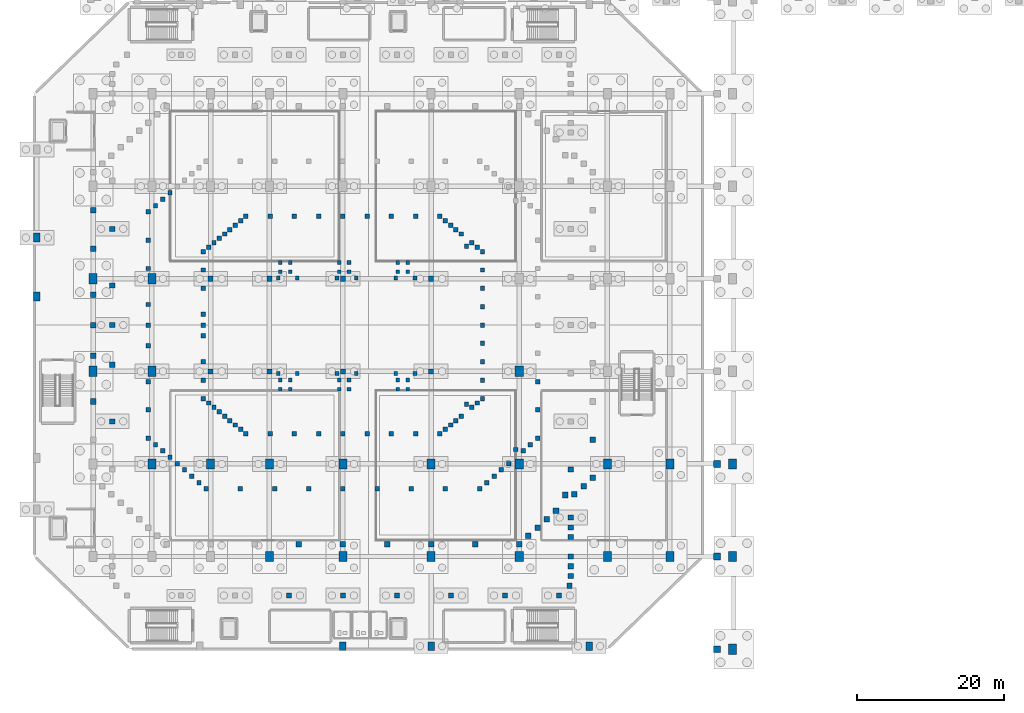
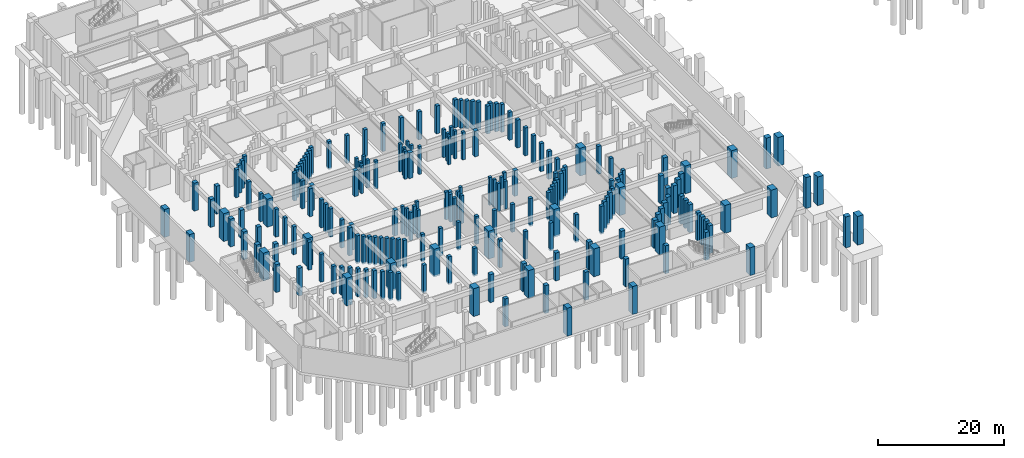
# One storey, part 6 of 27: 216 columns.
"""IFC4 building model written with IfcOpenShell, lengths in metres."""

from ifc_helpers import new_model, si_unit, derived_unit, direction, frame, origin, origin_2d, place, context, subcontext, project, spatial, rectangle, extrude, material, material_profile, profile_set, type_object, element, save


model = new_model("IFC4")

# Units and contexts
model_context = context("Model", 3, precision=1e-05, world=origin(), true_north=direction((0.0, 1.0)))
body_context = subcontext(model_context, "Body", "Model", "MODEL_VIEW")
ifc_project = project(units=[si_unit("LENGTHUNIT", "METRE"), si_unit("AREAUNIT", "SQUARE_METRE"), si_unit("VOLUMEUNIT", "CUBIC_METRE"), si_unit("PLANEANGLEUNIT", "RADIAN"), si_unit("MASSUNIT", "GRAM", prefix="KILO"), derived_unit("THERMALTRANSMITTANCEUNIT", [(si_unit("MASSUNIT", "GRAM", prefix="KILO"), 1), (si_unit("TIMEUNIT", "SECOND"), -3), (si_unit("THERMODYNAMICTEMPERATUREUNIT", "KELVIN"), -1)])], contexts=[model_context])

# Site, building, storey
site_placement = place(None, origin())
site = spatial("IfcSite", under=ifc_project, at=site_placement, CompositionType="ELEMENT")
building_placement = place(site_placement, origin())
building = spatial("IfcBuilding", under=site, at=building_placement, Name="Valcora Ridge Arena", CompositionType="ELEMENT")
storey_placement = place(building_placement, frame((0.0, 0.0, -5.39990234375)))
storey = spatial("IfcBuildingStorey", under=building, at=storey_placement, Name="B1", CompositionType="ELEMENT", Elevation=-5.39990234375)

# Columns
ifc_material_1 = material(Name="Bush-hammered Andean travertine architectural concrete C45/55", Category="masonry")
ifc_material_profile_1 = material_profile(ifc_material_1, rectangle(XDim=0.89990234375, YDim=1.199951171875, at=origin_2d()), Name="RC 900x1200")
ifc_profile_set_1 = profile_set([ifc_material_profile_1], Name="Bush-hammered Andean travertine architectural concrete C45/55")
column_type_1 = type_object("IfcColumnType", Name="TY-COLUMN-C-BUTT-1200", PredefinedType="PILASTER", material=ifc_profile_set_1)
for number, where, z_axis, x_axis, name in (
    (1, (58.0, 20.39990234375, 0.0), (0.0, 0.0, 1.0), (1.0, 0.0, 0.0), "C-BUTT-1200 COL-C-BUTT-1200-0005"),
    (2, (70.0, 20.39990234375, 0.0), (0.0, 0.0, 1.0), (1.0, 0.0, 0.0), "C-BUTT-1200 COL-C-BUTT-1200-0009"),
    (3, (91.5, 20.39990234375, 0.0), (0.0, 0.0, 1.0), (1.0, 0.0, 0.0), "C-BUTT-1200 COL-C-BUTT-1200-0013"),
    (4, (16.35009765625, 68.0, 0.0), (0.0, 0.0, 1.0), (1.0, 0.0, 0.0), "C-BUTT-1200 COL-C-BUTT-1200-0041"),
    (5, (16.35009765625, 76.0, 0.0), (0.0, 0.0, 1.0), (1.0, 0.0, 0.0), "C-BUTT-1200 COL-C-BUTT-1200-0045"),
):
    element("IfcColumn", number, at=place(storey_placement, frame(where, z_axis=z_axis, x_axis=x_axis)), inside=storey, type_object=column_type_1, Name=name, PredefinedType="PILASTER", context=body_context, shape_type="SweptSolid", body=[
        extrude(rectangle(XDim=0.89990234375, YDim=1.199951171875, at=origin_2d()), origin(), (0.0, 0.0, 1.0), 5.39990234375),
    ])
ifc_material_2 = material(Name="Concrete C40/50", Category="concrete")
ifc_material_profile_2 = material_profile(ifc_material_2, rectangle(XDim=1.10009765625, YDim=1.39990234375, at=origin_2d()), Name="RC 1100x1400")
ifc_profile_set_2 = profile_set([ifc_material_profile_2], Name="Concrete C40/50")
column_type_2 = type_object("IfcColumnType", Name="TY-COLUMN-C-RC1100", PredefinedType="COLUMN", material=ifc_profile_set_2)
for number, where, z_axis, x_axis, name in (
    (6, (24.0, 57.800048828125, 0.0), (0.0, 0.0, 1.0), (1.0, 0.0, 0.0), "C-RC1100 COL-C-RC1100-0005"),
    (7, (24.0, 70.39990234375, 0.0), (0.0, 0.0, 1.0), (1.0, 0.0, 0.0), "C-RC1100 COL-C-RC1100-0007"),
    (8, (32.0, 45.199951171875, 0.0), (0.0, 0.0, 1.0), (1.0, 0.0, 0.0), "C-RC1100 COL-C-RC1100-0015"),
    (9, (32.0, 57.800048828125, 0.0), (0.0, 0.0, 1.0), (1.0, 0.0, 0.0), "C-RC1100 COL-C-RC1100-0017"),
    (10, (32.0, 70.39990234375, 0.0), (0.0, 0.0, 1.0), (1.0, 0.0, 0.0), "C-RC1100 COL-C-RC1100-0019"),
    (11, (40.0, 45.199951171875, 0.0), (0.0, 0.0, 1.0), (1.0, 0.0, 0.0), "C-RC1100 COL-C-RC1100-0027"),
    (12, (48.0, 32.60009765625, 0.0), (0.0, 0.0, 1.0), (1.0, 0.0, 0.0), "C-RC1100 COL-C-RC1100-0033"),
    (13, (48.0, 45.199951171875, 0.0), (0.0, 0.0, 1.0), (1.0, 0.0, 0.0), "C-RC1100 COL-C-RC1100-0035"),
    (14, (58.0, 32.60009765625, 0.0), (0.0, 0.0, 1.0), (1.0, 0.0, 0.0), "C-RC1100 COL-C-RC1100-0041"),
    (15, (58.0, 45.199951171875, 0.0), (0.0, 0.0, 1.0), (1.0, 0.0, 0.0), "C-RC1100 COL-C-RC1100-0043"),
    (16, (70.0, 32.60009765625, 0.0), (0.0, 0.0, 1.0), (1.0, 0.0, 0.0), "C-RC1100 COL-C-RC1100-0049"),
    (17, (70.0, 45.199951171875, 0.0), (0.0, 0.0, 1.0), (1.0, 0.0, 0.0), "C-RC1100 COL-C-RC1100-0051"),
    (18, (82.0, 32.60009765625, 0.0), (0.0, 0.0, 1.0), (1.0, 0.0, 0.0), "C-RC1100 COL-C-RC1100-0057"),
    (19, (82.0, 45.199951171875, 0.0), (0.0, 0.0, 1.0), (1.0, 0.0, 0.0), "C-RC1100 COL-C-RC1100-0059"),
    (20, (82.0, 57.800048828125, 0.0), (0.0, 0.0, 1.0), (1.0, 0.0, 0.0), "C-RC1100 COL-C-RC1100-0061"),
    (21, (94.0, 32.60009765625, 0.0), (0.0, 0.0, 1.0), (1.0, 0.0, 0.0), "C-RC1100 COL-C-RC1100-0069"),
    (22, (94.0, 45.199951171875, 0.0), (0.0, 0.0, 1.0), (1.0, 0.0, 0.0), "C-RC1100 COL-C-RC1100-0071"),
    (23, (102.5, 32.60009765625, 0.0), (0.0, 0.0, 1.0), (1.0, 0.0, 0.0), "C-RC1100 COL-C-RC1100-0081"),
    (24, (102.5, 45.199951171875, 0.0), (0.0, 0.0, 1.0), (1.0, 0.0, 0.0), "C-RC1100 COL-C-RC1100-0083"),
):
    element("IfcColumn", number, at=place(storey_placement, frame(where, z_axis=z_axis, x_axis=x_axis)), inside=storey, type_object=column_type_2, Name=name, PredefinedType="COLUMN", context=body_context, shape_type="SweptSolid", body=[
        extrude(rectangle(XDim=1.10009765625, YDim=1.39990234375, at=origin_2d()), origin(), (0.0, 0.0, 1.0), 5.39990234375),
    ])
ifc_material_profile_3 = material_profile(ifc_material_2, rectangle(XDim=0.699951171875, YDim=0.699951171875, at=origin_2d()), Name="RC 700x700")
ifc_profile_set_3 = profile_set([ifc_material_profile_3], Name="Concrete C40/50")
column_type_3 = type_object("IfcColumnType", Name="TY-COLUMN-C-RC700", PredefinedType="COLUMN", material=ifc_profile_set_3)
for number, where, z_axis, x_axis, name in (
    (25, (40.0, 57.800048828125, 0.0), (0.0, 0.0, 1.0), (1.0, 0.0, 0.0), "C-RC700 COL-C-RC700-0019"),
    (26, (40.0, 70.39990234375, 0.0), (0.0, 0.0, 1.0), (1.0, 0.0, 0.0), "C-RC700 COL-C-RC700-0020"),
    (27, (48.0, 57.800048828125, 0.0), (0.0, 0.0, 1.0), (1.0, 0.0, 0.0), "C-RC700 COL-C-RC700-0021"),
    (28, (48.0, 70.39990234375, 0.0), (0.0, 0.0, 1.0), (1.0, 0.0, 0.0), "C-RC700 COL-C-RC700-0022"),
    (29, (58.0, 57.800048828125, 0.0), (0.0, 0.0, 1.0), (1.0, 0.0, 0.0), "C-RC700 COL-C-RC700-0023"),
    (30, (58.0, 70.39990234375, 0.0), (0.0, 0.0, 1.0), (1.0, 0.0, 0.0), "C-RC700 COL-C-RC700-0024"),
    (31, (70.0, 57.800048828125, 0.0), (0.0, 0.0, 1.0), (1.0, 0.0, 0.0), "C-RC700 COL-C-RC700-0025"),
    (32, (70.0, 70.39990234375, 0.0), (0.0, 0.0, 1.0), (1.0, 0.0, 0.0), "C-RC700 COL-C-RC700-0026"),
):
    element("IfcColumn", number, at=place(storey_placement, frame(where, z_axis=z_axis, x_axis=x_axis)), inside=storey, type_object=column_type_3, Name=name, PredefinedType="COLUMN", context=body_context, shape_type="SweptSolid", body=[
        extrude(rectangle(XDim=0.699951171875, YDim=0.699951171875, at=origin_2d()), origin(), (0.0, 0.0, 1.0), 4.9599609375),
    ])
ifc_material_profile_4 = material_profile(ifc_material_2, rectangle(XDim=0.5, YDim=0.5, at=origin_2d()), Name="RC 500x500")
ifc_profile_set_4 = profile_set([ifc_material_profile_4], Name="Concrete C40/50")
column_type_4 = type_object("IfcColumnType", Name="TY-COLUMN-C-RKR500", PredefinedType="COLUMN", material=ifc_profile_set_4)
for number, where, z_axis, x_axis, name in (
    (33, (49.47998046875, 55.3798828125, 0.0), (0.0, 0.0, 1.0), (1.0, 0.0, 0.0), "C-RKR500 COL-VS-C-RKR500-0001"),
    (34, (49.47998046875, 56.6201171875, 0.0), (0.0, 0.0, 1.0), (1.0, 0.0, 0.0), "C-RKR500 COL-VS-C-RKR500-0003"),
    (35, (50.820068359375, 55.3798828125, 0.0), (0.0, 0.0, 1.0), (1.0, 0.0, 0.0), "C-RKR500 COL-VS-C-RKR500-0005"),
    (36, (50.820068359375, 56.6201171875, 0.0), (0.0, 0.0, 1.0), (1.0, 0.0, 0.0), "C-RKR500 COL-VS-C-RKR500-0007"),
    (37, (49.199951171875, 57.5, 0.0), (0.0, 0.0, 1.0), (1.0, 0.0, 0.0), "C-RKR500 COL-VS-C-RKR500-0009"),
    (38, (51.800048828125, 57.5, 0.0), (0.0, 0.0, 1.0), (1.0, 0.0, 0.0), "C-RKR500 COL-VS-C-RKR500-0011"),
    (39, (57.47998046875, 55.3798828125, 0.0), (0.0, 0.0, 1.0), (1.0, 0.0, 0.0), "C-RKR500 COL-VS-C-RKR500-0013"),
    (40, (57.47998046875, 56.6201171875, 0.0), (0.0, 0.0, 1.0), (1.0, 0.0, 0.0), "C-RKR500 COL-VS-C-RKR500-0015"),
    (41, (58.820068359375, 55.3798828125, 0.0), (0.0, 0.0, 1.0), (1.0, 0.0, 0.0), "C-RKR500 COL-VS-C-RKR500-0017"),
    (42, (58.820068359375, 56.6201171875, 0.0), (0.0, 0.0, 1.0), (1.0, 0.0, 0.0), "C-RKR500 COL-VS-C-RKR500-0019"),
    (43, (57.199951171875, 57.5, 0.0), (0.0, 0.0, 1.0), (1.0, 0.0, 0.0), "C-RKR500 COL-VS-C-RKR500-0021"),
    (44, (59.800048828125, 57.5, 0.0), (0.0, 0.0, 1.0), (1.0, 0.0, 0.0), "C-RKR500 COL-VS-C-RKR500-0023"),
    (45, (65.47998046875, 55.3798828125, 0.0), (0.0, 0.0, 1.0), (1.0, 0.0, 0.0), "C-RKR500 COL-VS-C-RKR500-0025"),
    (46, (65.47998046875, 56.6201171875, 0.0), (0.0, 0.0, 1.0), (1.0, 0.0, 0.0), "C-RKR500 COL-VS-C-RKR500-0027"),
    (47, (66.820068359375, 55.3798828125, 0.0), (0.0, 0.0, 1.0), (1.0, 0.0, 0.0), "C-RKR500 COL-VS-C-RKR500-0029"),
    (48, (66.820068359375, 56.6201171875, 0.0), (0.0, 0.0, 1.0), (1.0, 0.0, 0.0), "C-RKR500 COL-VS-C-RKR500-0031"),
    (49, (65.199951171875, 57.5, 0.0), (0.0, 0.0, 1.0), (1.0, 0.0, 0.0), "C-RKR500 COL-VS-C-RKR500-0033"),
    (50, (67.800048828125, 57.5, 0.0), (0.0, 0.0, 1.0), (1.0, 0.0, 0.0), "C-RKR500 COL-VS-C-RKR500-0035"),
    (51, (49.47998046875, 71.3798828125, 0.0), (0.0, 0.0, 1.0), (1.0, 0.0, 0.0), "C-RKR500 COL-VS-C-RKR500-0037"),
    (52, (49.47998046875, 72.6201171875, 0.0), (0.0, 0.0, 1.0), (1.0, 0.0, 0.0), "C-RKR500 COL-VS-C-RKR500-0039"),
    (53, (50.820068359375, 71.3798828125, 0.0), (0.0, 0.0, 1.0), (1.0, 0.0, 0.0), "C-RKR500 COL-VS-C-RKR500-0041"),
    (54, (50.820068359375, 72.6201171875, 0.0), (0.0, 0.0, 1.0), (1.0, 0.0, 0.0), "C-RKR500 COL-VS-C-RKR500-0043"),
    (55, (49.199951171875, 70.5, 0.0), (0.0, 0.0, 1.0), (1.0, 0.0, 0.0), "C-RKR500 COL-VS-C-RKR500-0045"),
    (56, (51.800048828125, 70.5, 0.0), (0.0, 0.0, 1.0), (1.0, 0.0, 0.0), "C-RKR500 COL-VS-C-RKR500-0047"),
    (57, (57.47998046875, 71.3798828125, 0.0), (0.0, 0.0, 1.0), (1.0, 0.0, 0.0), "C-RKR500 COL-VS-C-RKR500-0049"),
    (58, (57.47998046875, 72.6201171875, 0.0), (0.0, 0.0, 1.0), (1.0, 0.0, 0.0), "C-RKR500 COL-VS-C-RKR500-0051"),
    (59, (58.820068359375, 71.3798828125, 0.0), (0.0, 0.0, 1.0), (1.0, 0.0, 0.0), "C-RKR500 COL-VS-C-RKR500-0053"),
    (60, (58.820068359375, 72.6201171875, 0.0), (0.0, 0.0, 1.0), (1.0, 0.0, 0.0), "C-RKR500 COL-VS-C-RKR500-0055"),
    (61, (57.199951171875, 70.5, 0.0), (0.0, 0.0, 1.0), (1.0, 0.0, 0.0), "C-RKR500 COL-VS-C-RKR500-0057"),
    (62, (59.800048828125, 70.5, 0.0), (0.0, 0.0, 1.0), (1.0, 0.0, 0.0), "C-RKR500 COL-VS-C-RKR500-0059"),
    (63, (65.47998046875, 71.3798828125, 0.0), (0.0, 0.0, 1.0), (1.0, 0.0, 0.0), "C-RKR500 COL-VS-C-RKR500-0061"),
    (64, (65.47998046875, 72.6201171875, 0.0), (0.0, 0.0, 1.0), (1.0, 0.0, 0.0), "C-RKR500 COL-VS-C-RKR500-0063"),
    (65, (66.820068359375, 71.3798828125, 0.0), (0.0, 0.0, 1.0), (1.0, 0.0, 0.0), "C-RKR500 COL-VS-C-RKR500-0065"),
    (66, (66.820068359375, 72.6201171875, 0.0), (0.0, 0.0, 1.0), (1.0, 0.0, 0.0), "C-RKR500 COL-VS-C-RKR500-0067"),
    (67, (65.199951171875, 70.5, 0.0), (0.0, 0.0, 1.0), (1.0, 0.0, 0.0), "C-RKR500 COL-VS-C-RKR500-0069"),
    (68, (67.800048828125, 70.5, 0.0), (0.0, 0.0, 1.0), (1.0, 0.0, 0.0), "C-RKR500 COL-VS-C-RKR500-0071"),
):
    element("IfcColumn", number, at=place(storey_placement, frame(where, z_axis=z_axis, x_axis=x_axis)), inside=storey, type_object=column_type_4, Name=name, PredefinedType="COLUMN", context=body_context, shape_type="SweptSolid", body=[
        extrude(rectangle(XDim=0.5, YDim=0.5, at=origin_2d()), origin(), (0.0, 0.0, 1.0), 5.39990234375),
    ])
ifc_material_profile_5 = material_profile(ifc_material_2, rectangle(XDim=0.60009765625, YDim=0.60009765625, at=origin_2d()), Name="RC 600x600")
ifc_profile_set_5 = profile_set([ifc_material_profile_5], Name="Concrete C40/50")
column_type_5 = type_object("IfcColumnType", Name="TY-COLUMN-C-RKR600", PredefinedType="COLUMN", material=ifc_profile_set_5)
for number, where, z_axis, x_axis, name in (
    (69, (39.39990234375, 41.800048828125, 0.0), (0.0, 0.0, 1.0), (1.0, 0.0, 0.0), "C-RKR600 COL-RK-C-RKR600-0001"),
    (70, (44.050048828125, 41.800048828125, 0.0), (0.0, 0.0, 1.0), (1.0, 0.0, 0.0), "C-RKR600 COL-RK-C-RKR600-0003"),
    (71, (48.699951171875, 41.800048828125, 0.0), (0.0, 0.0, 1.0), (1.0, 0.0, 0.0), "C-RKR600 COL-RK-C-RKR600-0005"),
    (72, (53.35009765625, 41.800048828125, 0.0), (0.0, 0.0, 1.0), (1.0, 0.0, 0.0), "C-RKR600 COL-RK-C-RKR600-0007"),
    (73, (58.0, 41.800048828125, 0.0), (0.0, 0.0, 1.0), (1.0, 0.0, 0.0), "C-RKR600 COL-RK-C-RKR600-0009"),
    (74, (62.64990234375, 41.800048828125, 0.0), (0.0, 0.0, 1.0), (1.0, 0.0, 0.0), "C-RKR600 COL-RK-C-RKR600-0011"),
    (75, (67.300048828125, 41.800048828125, 0.0), (0.0, 0.0, 1.0), (1.0, 0.0, 0.0), "C-RKR600 COL-RK-C-RKR600-0013"),
    (76, (71.949951171875, 41.800048828125, 0.0), (0.0, 0.0, 1.0), (1.0, 0.0, 0.0), "C-RKR600 COL-RK-C-RKR600-0015"),
    (77, (76.60009765625, 41.800048828125, 0.0), (0.0, 0.0, 1.0), (1.0, 0.0, 0.0), "C-RKR600 COL-RK-C-RKR600-0017"),
    (78, (77.58740234375, 42.66259765625, 0.0), (0.0, 0.0, 1.0), (1.0, 0.0, 0.0), "C-RKR600 COL-RK-C-RKR600-0019"),
    (79, (78.574951171875, 43.52490234375, 0.0), (0.0, 0.0, 1.0), (1.0, 0.0, 0.0), "C-RKR600 COL-RK-C-RKR600-0021"),
    (80, (79.5625, 44.387451171875, 0.0), (0.0, 0.0, 1.0), (1.0, 0.0, 0.0), "C-RKR600 COL-RK-C-RKR600-0023"),
    (81, (80.550048828125, 45.25, 0.0), (0.0, 0.0, 1.0), (1.0, 0.0, 0.0), "C-RKR600 COL-RK-C-RKR600-0025"),
    (82, (82.52490234375, 46.97509765625, 0.0), (0.0, 0.0, 1.0), (1.0, 0.0, 0.0), "C-RKR600 COL-RK-C-RKR600-0027"),
    (83, (83.512451171875, 47.83740234375, 0.0), (0.0, 0.0, 1.0), (1.0, 0.0, 0.0), "C-RKR600 COL-RK-C-RKR600-0029"),
    (84, (84.5, 48.699951171875, 0.0), (0.0, 0.0, 1.0), (1.0, 0.0, 0.0), "C-RKR600 COL-RK-C-RKR600-0031"),
    (85, (84.5, 52.550048828125, 0.0), (0.0, 0.0, 1.0), (1.0, 0.0, 0.0), "C-RKR600 COL-RK-C-RKR600-0033"),
    (86, (84.5, 56.39990234375, 0.0), (0.0, 0.0, 1.0), (1.0, 0.0, 0.0), "C-RKR600 COL-RK-C-RKR600-0035"),
    (87, (34.46240234375, 82.08740234375, 0.0), (0.0, 0.0, 1.0), (1.0, 0.0, 0.0), "C-RKR600 COL-RK-C-RKR600-0087"),
    (88, (33.47509765625, 81.22509765625, 0.0), (0.0, 0.0, 1.0), (1.0, 0.0, 0.0), "C-RKR600 COL-RK-C-RKR600-0089"),
    (89, (32.487548828125, 80.362548828125, 0.0), (0.0, 0.0, 1.0), (1.0, 0.0, 0.0), "C-RKR600 COL-RK-C-RKR600-0091"),
    (90, (31.5, 79.5, 0.0), (0.0, 0.0, 1.0), (1.0, 0.0, 0.0), "C-RKR600 COL-RK-C-RKR600-0093"),
    (91, (31.5, 75.64990234375, 0.0), (0.0, 0.0, 1.0), (1.0, 0.0, 0.0), "C-RKR600 COL-RK-C-RKR600-0095"),
    (92, (31.5, 71.800048828125, 0.0), (0.0, 0.0, 1.0), (1.0, 0.0, 0.0), "C-RKR600 COL-RK-C-RKR600-0097"),
    (93, (31.5, 64.10009765625, 0.0), (0.0, 0.0, 1.0), (1.0, 0.0, 0.0), "C-RKR600 COL-RK-C-RKR600-0099"),
    (94, (31.5, 56.39990234375, 0.0), (0.0, 0.0, 1.0), (1.0, 0.0, 0.0), "C-RKR600 COL-RK-C-RKR600-0101"),
    (95, (31.5, 52.550048828125, 0.0), (0.0, 0.0, 1.0), (1.0, 0.0, 0.0), "C-RKR600 COL-RK-C-RKR600-0103"),
    (96, (31.5, 48.699951171875, 0.0), (0.0, 0.0, 1.0), (1.0, 0.0, 0.0), "C-RKR600 COL-RK-C-RKR600-0105"),
    (97, (32.487548828125, 47.83740234375, 0.0), (0.0, 0.0, 1.0), (1.0, 0.0, 0.0), "C-RKR600 COL-RK-C-RKR600-0107"),
    (98, (33.47509765625, 46.97509765625, 0.0), (0.0, 0.0, 1.0), (1.0, 0.0, 0.0), "C-RKR600 COL-RK-C-RKR600-0109"),
    (99, (34.46240234375, 46.112548828125, 0.0), (0.0, 0.0, 1.0), (1.0, 0.0, 0.0), "C-RKR600 COL-RK-C-RKR600-0111"),
    (100, (35.449951171875, 45.25, 0.0), (0.0, 0.0, 1.0), (1.0, 0.0, 0.0), "C-RKR600 COL-RK-C-RKR600-0113"),
    (101, (36.4375, 44.387451171875, 0.0), (0.0, 0.0, 1.0), (1.0, 0.0, 0.0), "C-RKR600 COL-RK-C-RKR600-0115"),
    (102, (37.425048828125, 43.52490234375, 0.0), (0.0, 0.0, 1.0), (1.0, 0.0, 0.0), "C-RKR600 COL-RK-C-RKR600-0117"),
    (103, (38.41259765625, 42.66259765625, 0.0), (0.0, 0.0, 1.0), (1.0, 0.0, 0.0), "C-RKR600 COL-RK-C-RKR600-0119"),
    (104, (81.53759765625, 47.16259765625, 0.0), (0.0, 0.0, 1.0), (1.0, 0.0, 0.0), "C-RKR600 COL-RKN-C-RKR600-0001"),
    (105, (31.5, 66.89990234375, 0.0), (0.0, 0.0, 1.0), (1.0, 0.0, 0.0), "C-RKR600 COL-RKN-C-RKR600-0005"),
    (106, (31.5, 61.300048828125, 0.0), (0.0, 0.0, 1.0), (1.0, 0.0, 0.0), "C-RKR600 COL-RKN-C-RKR600-0007"),
):
    element("IfcColumn", number, at=place(storey_placement, frame(where, z_axis=z_axis, x_axis=x_axis)), inside=storey, type_object=column_type_5, Name=name, PredefinedType="COLUMN", context=body_context, shape_type="SweptSolid", body=[
        extrude(rectangle(XDim=0.60009765625, YDim=0.60009765625, at=origin_2d()), origin(), (0.0, 0.0, 1.0), 5.39990234375),
    ])
ifc_material_profile_6 = material_profile(ifc_material_2, rectangle(XDim=0.60009765625, YDim=0.60009765625, at=origin_2d()), Name="RC 600x600")
ifc_profile_set_6 = profile_set([ifc_material_profile_6], Name="Concrete C40/50")
column_type_6 = type_object("IfcColumnType", Name="TY-COLUMN-C-RKR600I", PredefinedType="COLUMN", material=ifc_profile_set_6)
for number, where, z_axis, x_axis, name in (
    (107, (44.800048828125, 49.300048828125, 0.0), (0.0, 0.0, 1.0), (1.0, 0.0, 0.0), "C-RKR600I COL-RK-C-RKR600I-0001"),
    (108, (48.10009765625, 49.300048828125, 0.0), (0.0, 0.0, 1.0), (1.0, 0.0, 0.0), "C-RKR600I COL-RK-C-RKR600I-0003"),
    (109, (51.39990234375, 49.300048828125, 0.0), (0.0, 0.0, 1.0), (1.0, 0.0, 0.0), "C-RKR600I COL-RK-C-RKR600I-0005"),
    (110, (54.699951171875, 49.300048828125, 0.0), (0.0, 0.0, 1.0), (1.0, 0.0, 0.0), "C-RKR600I COL-RK-C-RKR600I-0007"),
    (111, (58.0, 49.300048828125, 0.0), (0.0, 0.0, 1.0), (1.0, 0.0, 0.0), "C-RKR600I COL-RK-C-RKR600I-0009"),
    (112, (61.300048828125, 49.300048828125, 0.0), (0.0, 0.0, 1.0), (1.0, 0.0, 0.0), "C-RKR600I COL-RK-C-RKR600I-0011"),
    (113, (64.60009765625, 49.300048828125, 0.0), (0.0, 0.0, 1.0), (1.0, 0.0, 0.0), "C-RKR600I COL-RK-C-RKR600I-0013"),
    (114, (67.89990234375, 49.300048828125, 0.0), (0.0, 0.0, 1.0), (1.0, 0.0, 0.0), "C-RKR600I COL-RK-C-RKR600I-0015"),
    (115, (71.199951171875, 49.300048828125, 0.0), (0.0, 0.0, 1.0), (1.0, 0.0, 0.0), "C-RKR600I COL-RK-C-RKR600I-0017"),
    (116, (71.925048828125, 49.89990234375, 0.0), (0.0, 0.0, 1.0), (1.0, 0.0, 0.0), "C-RKR600I COL-RK-C-RKR600I-0019"),
    (117, (72.64990234375, 50.5, 0.0), (0.0, 0.0, 1.0), (1.0, 0.0, 0.0), "C-RKR600I COL-RK-C-RKR600I-0021"),
    (118, (73.375, 51.10009765625, 0.0), (0.0, 0.0, 1.0), (1.0, 0.0, 0.0), "C-RKR600I COL-RK-C-RKR600I-0023"),
    (119, (74.10009765625, 51.699951171875, 0.0), (0.0, 0.0, 1.0), (1.0, 0.0, 0.0), "C-RKR600I COL-RK-C-RKR600I-0025"),
    (120, (75.550048828125, 52.89990234375, 0.0), (0.0, 0.0, 1.0), (1.0, 0.0, 0.0), "C-RKR600I COL-RK-C-RKR600I-0027"),
    (121, (76.27490234375, 53.5, 0.0), (0.0, 0.0, 1.0), (1.0, 0.0, 0.0), "C-RKR600I COL-RK-C-RKR600I-0029"),
    (122, (77.0, 54.10009765625, 0.0), (0.0, 0.0, 1.0), (1.0, 0.0, 0.0), "C-RKR600I COL-RK-C-RKR600I-0031"),
    (123, (77.0, 56.60009765625, 0.0), (0.0, 0.0, 1.0), (1.0, 0.0, 0.0), "C-RKR600I COL-RK-C-RKR600I-0033"),
    (124, (77.0, 59.10009765625, 0.0), (0.0, 0.0, 1.0), (1.0, 0.0, 0.0), "C-RKR600I COL-RK-C-RKR600I-0035"),
    (125, (77.0, 61.60009765625, 0.0), (0.0, 0.0, 1.0), (1.0, 0.0, 0.0), "C-RKR600I COL-RK-C-RKR600I-0037"),
    (126, (77.0, 64.10009765625, 0.0), (0.0, 0.0, 1.0), (1.0, 0.0, 0.0), "C-RKR600I COL-RK-C-RKR600I-0039"),
    (127, (77.0, 66.60009765625, 0.0), (0.0, 0.0, 1.0), (1.0, 0.0, 0.0), "C-RKR600I COL-RK-C-RKR600I-0041"),
    (128, (77.0, 69.10009765625, 0.0), (0.0, 0.0, 1.0), (1.0, 0.0, 0.0), "C-RKR600I COL-RK-C-RKR600I-0043"),
    (129, (77.0, 71.60009765625, 0.0), (0.0, 0.0, 1.0), (1.0, 0.0, 0.0), "C-RKR600I COL-RK-C-RKR600I-0045"),
    (130, (77.0, 74.10009765625, 0.0), (0.0, 0.0, 1.0), (1.0, 0.0, 0.0), "C-RKR600I COL-RK-C-RKR600I-0047"),
    (131, (76.27490234375, 74.699951171875, 0.0), (0.0, 0.0, 1.0), (1.0, 0.0, 0.0), "C-RKR600I COL-RK-C-RKR600I-0049"),
    (132, (75.550048828125, 75.300048828125, 0.0), (0.0, 0.0, 1.0), (1.0, 0.0, 0.0), "C-RKR600I COL-RK-C-RKR600I-0051"),
    (133, (74.10009765625, 76.5, 0.0), (0.0, 0.0, 1.0), (1.0, 0.0, 0.0), "C-RKR600I COL-RK-C-RKR600I-0053"),
    (134, (73.375, 77.10009765625, 0.0), (0.0, 0.0, 1.0), (1.0, 0.0, 0.0), "C-RKR600I COL-RK-C-RKR600I-0055"),
    (135, (72.64990234375, 77.699951171875, 0.0), (0.0, 0.0, 1.0), (1.0, 0.0, 0.0), "C-RKR600I COL-RK-C-RKR600I-0057"),
    (136, (71.925048828125, 78.300048828125, 0.0), (0.0, 0.0, 1.0), (1.0, 0.0, 0.0), "C-RKR600I COL-RK-C-RKR600I-0059"),
    (137, (71.199951171875, 78.89990234375, 0.0), (0.0, 0.0, 1.0), (1.0, 0.0, 0.0), "C-RKR600I COL-RK-C-RKR600I-0061"),
    (138, (67.89990234375, 78.89990234375, 0.0), (0.0, 0.0, 1.0), (1.0, 0.0, 0.0), "C-RKR600I COL-RK-C-RKR600I-0063"),
    (139, (64.60009765625, 78.89990234375, 0.0), (0.0, 0.0, 1.0), (1.0, 0.0, 0.0), "C-RKR600I COL-RK-C-RKR600I-0065"),
    (140, (61.300048828125, 78.89990234375, 0.0), (0.0, 0.0, 1.0), (1.0, 0.0, 0.0), "C-RKR600I COL-RK-C-RKR600I-0067"),
    (141, (58.0, 78.89990234375, 0.0), (0.0, 0.0, 1.0), (1.0, 0.0, 0.0), "C-RKR600I COL-RK-C-RKR600I-0069"),
    (142, (54.699951171875, 78.89990234375, 0.0), (0.0, 0.0, 1.0), (1.0, 0.0, 0.0), "C-RKR600I COL-RK-C-RKR600I-0071"),
    (143, (51.39990234375, 78.89990234375, 0.0), (0.0, 0.0, 1.0), (1.0, 0.0, 0.0), "C-RKR600I COL-RK-C-RKR600I-0073"),
    (144, (48.10009765625, 78.89990234375, 0.0), (0.0, 0.0, 1.0), (1.0, 0.0, 0.0), "C-RKR600I COL-RK-C-RKR600I-0075"),
    (145, (44.800048828125, 78.89990234375, 0.0), (0.0, 0.0, 1.0), (1.0, 0.0, 0.0), "C-RKR600I COL-RK-C-RKR600I-0077"),
    (146, (44.074951171875, 78.300048828125, 0.0), (0.0, 0.0, 1.0), (1.0, 0.0, 0.0), "C-RKR600I COL-RK-C-RKR600I-0079"),
    (147, (43.35009765625, 77.699951171875, 0.0), (0.0, 0.0, 1.0), (1.0, 0.0, 0.0), "C-RKR600I COL-RK-C-RKR600I-0081"),
    (148, (42.625, 77.10009765625, 0.0), (0.0, 0.0, 1.0), (1.0, 0.0, 0.0), "C-RKR600I COL-RK-C-RKR600I-0083"),
    (149, (41.89990234375, 76.5, 0.0), (0.0, 0.0, 1.0), (1.0, 0.0, 0.0), "C-RKR600I COL-RK-C-RKR600I-0085"),
    (150, (41.175048828125, 75.89990234375, 0.0), (0.0, 0.0, 1.0), (1.0, 0.0, 0.0), "C-RKR600I COL-RK-C-RKR600I-0087"),
    (151, (40.449951171875, 75.300048828125, 0.0), (0.0, 0.0, 1.0), (1.0, 0.0, 0.0), "C-RKR600I COL-RK-C-RKR600I-0089"),
    (152, (39.72509765625, 74.699951171875, 0.0), (0.0, 0.0, 1.0), (1.0, 0.0, 0.0), "C-RKR600I COL-RK-C-RKR600I-0091"),
    (153, (39.0, 74.10009765625, 0.0), (0.0, 0.0, 1.0), (1.0, 0.0, 0.0), "C-RKR600I COL-RK-C-RKR600I-0093"),
    (154, (39.0, 71.60009765625, 0.0), (0.0, 0.0, 1.0), (1.0, 0.0, 0.0), "C-RKR600I COL-RK-C-RKR600I-0095"),
    (155, (39.0, 69.10009765625, 0.0), (0.0, 0.0, 1.0), (1.0, 0.0, 0.0), "C-RKR600I COL-RK-C-RKR600I-0097"),
    (156, (39.0, 64.10009765625, 0.0), (0.0, 0.0, 1.0), (1.0, 0.0, 0.0), "C-RKR600I COL-RK-C-RKR600I-0099"),
    (157, (39.0, 59.10009765625, 0.0), (0.0, 0.0, 1.0), (1.0, 0.0, 0.0), "C-RKR600I COL-RK-C-RKR600I-0101"),
    (158, (39.0, 56.60009765625, 0.0), (0.0, 0.0, 1.0), (1.0, 0.0, 0.0), "C-RKR600I COL-RK-C-RKR600I-0103"),
    (159, (39.0, 54.10009765625, 0.0), (0.0, 0.0, 1.0), (1.0, 0.0, 0.0), "C-RKR600I COL-RK-C-RKR600I-0105"),
    (160, (39.72509765625, 53.5, 0.0), (0.0, 0.0, 1.0), (1.0, 0.0, 0.0), "C-RKR600I COL-RK-C-RKR600I-0107"),
    (161, (40.449951171875, 52.89990234375, 0.0), (0.0, 0.0, 1.0), (1.0, 0.0, 0.0), "C-RKR600I COL-RK-C-RKR600I-0109"),
    (162, (41.175048828125, 52.300048828125, 0.0), (0.0, 0.0, 1.0), (1.0, 0.0, 0.0), "C-RKR600I COL-RK-C-RKR600I-0111"),
    (163, (41.89990234375, 51.699951171875, 0.0), (0.0, 0.0, 1.0), (1.0, 0.0, 0.0), "C-RKR600I COL-RK-C-RKR600I-0113"),
    (164, (42.625, 51.10009765625, 0.0), (0.0, 0.0, 1.0), (1.0, 0.0, 0.0), "C-RKR600I COL-RK-C-RKR600I-0115"),
    (165, (43.35009765625, 50.5, 0.0), (0.0, 0.0, 1.0), (1.0, 0.0, 0.0), "C-RKR600I COL-RK-C-RKR600I-0117"),
    (166, (44.074951171875, 49.89990234375, 0.0), (0.0, 0.0, 1.0), (1.0, 0.0, 0.0), "C-RKR600I COL-RK-C-RKR600I-0119"),
    (167, (74.824951171875, 53.35009765625, 0.0), (0.0, 0.0, 1.0), (1.0, 0.0, 0.0), "C-RKR600I COL-RKN-C-RKR600I-0001"),
    (168, (74.824951171875, 74.85009765625, 0.0), (0.0, 0.0, 1.0), (1.0, 0.0, 0.0), "C-RKR600I COL-RKN-C-RKR600I-0003"),
    (169, (39.0, 65.550048828125, 0.0), (0.0, 0.0, 1.0), (1.0, 0.0, 0.0), "C-RKR600I COL-RKN-C-RKR600I-0005"),
    (170, (39.0, 62.64990234375, 0.0), (0.0, 0.0, 1.0), (1.0, 0.0, 0.0), "C-RKR600I COL-RKN-C-RKR600I-0007"),
):
    element("IfcColumn", number, at=place(storey_placement, frame(where, z_axis=z_axis, x_axis=x_axis)), inside=storey, type_object=column_type_6, Name=name, PredefinedType="COLUMN", context=body_context, shape_type="SweptSolid", body=[
        extrude(rectangle(XDim=0.60009765625, YDim=0.60009765625, at=origin_2d()), origin(), (0.0, 0.0, 1.0), 5.39990234375),
    ])
ifc_material_profile_7 = material_profile(ifc_material_2, rectangle(XDim=0.75, YDim=0.75, at=origin_2d()), Name="RC 750x750")
ifc_profile_set_7 = profile_set([ifc_material_profile_7], Name="Concrete C40/50")
column_type_7 = type_object("IfcColumnType", Name="TY-COLUMN-C-RKR750", PredefinedType="COLUMN", material=ifc_profile_set_7)
for number, where, z_axis, x_axis, name in (
    (171, (52.0, 34.300048828125, 0.0), (0.0, 0.0, 1.0), (1.0, 0.0, 0.0), "C-RKR750 COL-RK-C-RKR750-0007"),
    (172, (58.0, 34.300048828125, 0.0), (0.0, 0.0, 1.0), (1.0, 0.0, 0.0), "C-RKR750 COL-RK-C-RKR750-0009"),
    (173, (64.0, 34.300048828125, 0.0), (0.0, 0.0, 1.0), (1.0, 0.0, 0.0), "C-RKR750 COL-RK-C-RKR750-0011"),
    (174, (70.0, 34.300048828125, 0.0), (0.0, 0.0, 1.0), (1.0, 0.0, 0.0), "C-RKR750 COL-RK-C-RKR750-0013"),
    (175, (76.0, 34.300048828125, 0.0), (0.0, 0.0, 1.0), (1.0, 0.0, 0.0), "C-RKR750 COL-RK-C-RKR750-0015"),
    (176, (82.0, 34.300048828125, 0.0), (0.0, 0.0, 1.0), (1.0, 0.0, 0.0), "C-RKR750 COL-RK-C-RKR750-0017"),
    (177, (83.25, 35.425048828125, 0.0), (0.0, 0.0, 1.0), (1.0, 0.0, 0.0), "C-RKR750 COL-RK-C-RKR750-0019"),
    (178, (84.5, 36.550048828125, 0.0), (0.0, 0.0, 1.0), (1.0, 0.0, 0.0), "C-RKR750 COL-RK-C-RKR750-0021"),
    (179, (85.75, 37.675048828125, 0.0), (0.0, 0.0, 1.0), (1.0, 0.0, 0.0), "C-RKR750 COL-RK-C-RKR750-0023"),
    (180, (87.0, 38.800048828125, 0.0), (0.0, 0.0, 1.0), (1.0, 0.0, 0.0), "C-RKR750 COL-RK-C-RKR750-0025"),
    (181, (89.5, 41.050048828125, 0.0), (0.0, 0.0, 1.0), (1.0, 0.0, 0.0), "C-RKR750 COL-RK-C-RKR750-0027"),
    (182, (90.75, 42.175048828125, 0.0), (0.0, 0.0, 1.0), (1.0, 0.0, 0.0), "C-RKR750 COL-RK-C-RKR750-0029"),
    (183, (92.0, 43.300048828125, 0.0), (0.0, 0.0, 1.0), (1.0, 0.0, 0.0), "C-RKR750 COL-RK-C-RKR750-0031"),
    (184, (92.0, 48.5, 0.0), (0.0, 0.0, 1.0), (1.0, 0.0, 0.0), "C-RKR750 COL-RK-C-RKR750-0033"),
    (185, (24.0, 79.699951171875, 0.0), (0.0, 0.0, 1.0), (1.0, 0.0, 0.0), "C-RKR750 COL-RK-C-RKR750-0095"),
    (186, (24.0, 74.5, 0.0), (0.0, 0.0, 1.0), (1.0, 0.0, 0.0), "C-RKR750 COL-RK-C-RKR750-0097"),
    (187, (24.0, 64.10009765625, 0.0), (0.0, 0.0, 1.0), (1.0, 0.0, 0.0), "C-RKR750 COL-RK-C-RKR750-0099"),
    (188, (24.0, 53.699951171875, 0.0), (0.0, 0.0, 1.0), (1.0, 0.0, 0.0), "C-RKR750 COL-RK-C-RKR750-0101"),
    (189, (88.25, 40.97509765625, 0.0), (0.0, 0.0, 1.0), (1.0, 0.0, 0.0), "C-RKR750 COL-RKN-C-RKR750-0001"),
    (190, (24.0, 68.25, 0.0), (0.0, 0.0, 1.0), (1.0, 0.0, 0.0), "C-RKR750 COL-RKN-C-RKR750-0005"),
    (191, (24.0, 59.949951171875, 0.0), (0.0, 0.0, 1.0), (1.0, 0.0, 0.0), "C-RKR750 COL-RKN-C-RKR750-0007"),
):
    element("IfcColumn", number, at=place(storey_placement, frame(where, z_axis=z_axis, x_axis=x_axis)), inside=storey, type_object=column_type_7, Name=name, PredefinedType="COLUMN", context=body_context, shape_type="SweptSolid", body=[
        extrude(rectangle(XDim=0.75, YDim=0.75, at=origin_2d()), origin(), (0.0, 0.0, 1.0), 5.39990234375),
    ])
ifc_material_profile_8 = material_profile(ifc_material_2, rectangle(XDim=0.699951171875, YDim=0.699951171875, at=origin_2d()), Name="RC 700x700")
ifc_profile_set_8 = profile_set([ifc_material_profile_8], Name="Concrete C40/50")
column_type_8 = type_object("IfcColumnType", Name="TY-COLUMN-C-RKRU700B", PredefinedType="COLUMN", material=ifc_profile_set_8)
for number, where, z_axis, x_axis, name in (
    (192, (50.64990234375, 27.300048828125, 0.0), (0.0, 0.0, 1.0), (1.0, 0.0, 0.0), "C-RKRU700B COL-RK-C-RKRU700B-0016"),
    (193, (58.0, 27.300048828125, 0.0), (0.0, 0.0, 1.0), (1.0, 0.0, 0.0), "C-RKRU700B COL-RK-C-RKRU700B-0021"),
    (194, (65.35009765625, 27.300048828125, 0.0), (0.0, 0.0, 1.0), (1.0, 0.0, 0.0), "C-RKRU700B COL-RK-C-RKRU700B-0026"),
    (195, (72.699951171875, 27.300048828125, 0.0), (0.0, 0.0, 1.0), (1.0, 0.0, 0.0), "C-RKRU700B COL-RK-C-RKRU700B-0031"),
    (196, (80.050048828125, 27.300048828125, 0.0), (0.0, 0.0, 1.0), (1.0, 0.0, 0.0), "C-RKRU700B COL-RK-C-RKRU700B-0036"),
    (197, (87.39990234375, 27.300048828125, 0.0), (0.0, 0.0, 1.0), (1.0, 0.0, 0.0), "C-RKRU700B COL-RK-C-RKRU700B-0041"),
    (198, (88.85009765625, 28.625, 0.0), (0.0, 0.0, 1.0), (1.0, 0.0, 0.0), "C-RKRU700B COL-RK-C-RKRU700B-0046"),
    (199, (89.0, 29.949951171875, 0.0), (0.0, 0.0, 1.0), (1.0, 0.0, 0.0), "C-RKRU700B COL-RK-C-RKRU700B-0051"),
    (200, (89.0, 31.27490234375, 0.0), (0.0, 0.0, 1.0), (1.0, 0.0, 0.0), "C-RKRU700B COL-RK-C-RKRU700B-0056"),
    (201, (89.0, 32.60009765625, 0.0), (0.0, 0.0, 1.0), (1.0, 0.0, 0.0), "C-RKRU700B COL-RK-C-RKRU700B-0061"),
    (202, (89.0, 35.25, 0.0), (0.0, 0.0, 1.0), (1.0, 0.0, 0.0), "C-RKRU700B COL-RK-C-RKRU700B-0066"),
    (203, (89.0, 36.574951171875, 0.0), (0.0, 0.0, 1.0), (1.0, 0.0, 0.0), "C-RKRU700B COL-RK-C-RKRU700B-0071"),
    (204, (89.0, 37.89990234375, 0.0), (0.0, 0.0, 1.0), (1.0, 0.0, 0.0), "C-RKRU700B COL-RK-C-RKRU700B-0076"),
    (205, (89.0, 44.449951171875, 0.0), (0.0, 0.0, 1.0), (1.0, 0.0, 0.0), "C-RKRU700B COL-RK-C-RKRU700B-0081"),
    (206, (26.60009765625, 77.199951171875, 0.0), (0.0, 0.0, 1.0), (1.0, 0.0, 0.0), "C-RKRU700B COL-RK-C-RKRU700B-0226"),
    (207, (26.60009765625, 64.10009765625, 0.0), (0.0, 0.0, 1.0), (1.0, 0.0, 0.0), "C-RKRU700B COL-RK-C-RKRU700B-0231"),
    (208, (26.60009765625, 51.0, 0.0), (0.0, 0.0, 1.0), (1.0, 0.0, 0.0), "C-RKRU700B COL-RK-C-RKRU700B-0236"),
    (209, (26.60009765625, 69.489990234375, 0.0), (0.0, 0.0, 1.0), (1.0, 0.0, 0.0), "C-RKRU700B COL-RKN-C-RKRU700B-0001"),
    (210, (26.60009765625, 58.7099609375, 0.0), (0.0, 0.0, 1.0), (1.0, 0.0, 0.0), "C-RKRU700B COL-RKN-C-RKRU700B-0006"),
):
    element("IfcColumn", number, at=place(storey_placement, frame(where, z_axis=z_axis, x_axis=x_axis)), inside=storey, type_object=column_type_8, Name=name, PredefinedType="COLUMN", context=body_context, shape_type="SweptSolid", body=[
        extrude(rectangle(XDim=0.699951171875, YDim=0.699951171875, at=origin_2d()), origin(), (0.0, 0.0, 1.0), 5.39990234375),
    ])
ifc_material_3 = material(Name="Concrete C45/55", Category="concrete")
ifc_material_profile_9 = material_profile(ifc_material_3, rectangle(XDim=0.89990234375, YDim=0.89990234375, at=origin_2d()), Name="RC 900x900")
ifc_profile_set_9 = profile_set([ifc_material_profile_9], Name="Concrete C45/55")
column_type_9 = type_object("IfcColumnType", Name="TY-COLUMN-C-SHOE-900", PredefinedType="COLUMN", material=ifc_profile_set_9)
for number, where, z_axis, x_axis, name in (
    (211, (108.909912109375, 20.0, -0.60009765625), (0.0, 0.0, 1.0), (1.0, 0.0, 0.0), "C-SHOE-900 COL-SH-C-SHOE-900-0001"),
    (212, (108.909912109375, 32.60009765625, -0.60009765625), (0.0, 0.0, 1.0), (1.0, 0.0, 0.0), "C-SHOE-900 COL-SH-C-SHOE-900-0003"),
    (213, (108.909912109375, 45.199951171875, -0.60009765625), (0.0, 0.0, 1.0), (1.0, 0.0, 0.0), "C-SHOE-900 COL-SH-C-SHOE-900-0005"),
):
    element("IfcColumn", number, at=place(storey_placement, frame(where, z_axis=z_axis, x_axis=x_axis)), inside=storey, type_object=column_type_9, Name=name, PredefinedType="COLUMN", context=body_context, shape_type="SweptSolid", body=[
        extrude(rectangle(XDim=0.89990234375, YDim=0.89990234375, at=origin_2d()), origin(), (0.0, 0.0, 1.0), 6.0),
    ])
ifc_material_profile_10 = material_profile(ifc_material_3, rectangle(XDim=1.10009765625, YDim=1.39990234375, at=origin_2d()), Name="RC 1100x1400")
ifc_profile_set_10 = profile_set([ifc_material_profile_10], Name="Concrete C45/55")
column_type_10 = type_object("IfcColumnType", Name="TY-COLUMN-MC-BASE1400", PredefinedType="COLUMN", material=ifc_profile_set_10)
for number, where, z_axis, x_axis, name in (
    (214, (111.009521484375, 20.0, -0.60009765625), (0.0, 0.0, 1.0), (1.0, 0.0, 0.0), "Flying-Buttress Mega Column MC-BASE1400"),
    (215, (111.009521484375, 32.60009765625, -0.60009765625), (0.0, 0.0, 1.0), (1.0, 0.0, 0.0), "Flying-Buttress Mega Column MC-BASE1400"),
    (216, (111.009521484375, 45.199951171875, -0.60009765625), (0.0, 0.0, 1.0), (1.0, 0.0, 0.0), "Flying-Buttress Mega Column MC-BASE1400"),
):
    element("IfcColumn", number, at=place(storey_placement, frame(where, z_axis=z_axis, x_axis=x_axis)), inside=storey, type_object=column_type_10, Name=name, PredefinedType="COLUMN", context=body_context, shape_type="SweptSolid", body=[
        extrude(rectangle(XDim=1.10009765625, YDim=1.39990234375, at=origin_2d()), origin(), (0.0, 0.0, 1.0), 5.56005859375),
    ])

save(model, "model.ifc")
